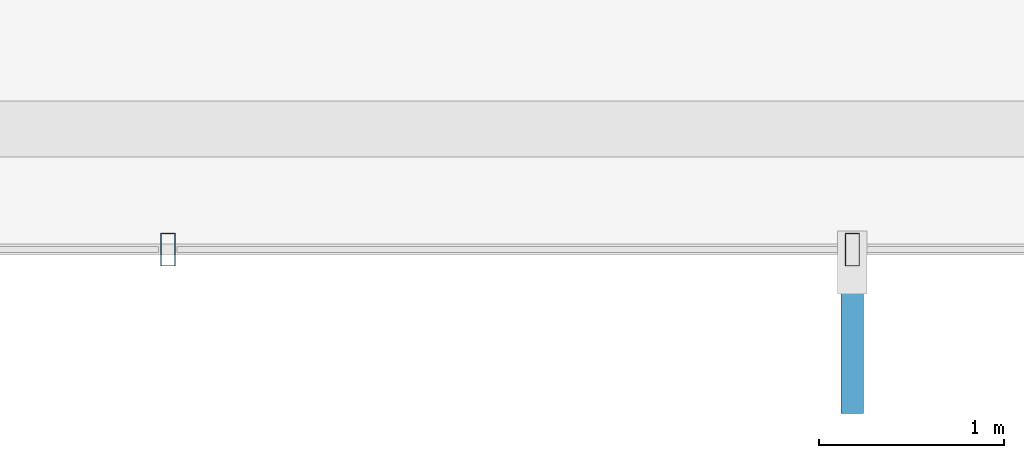
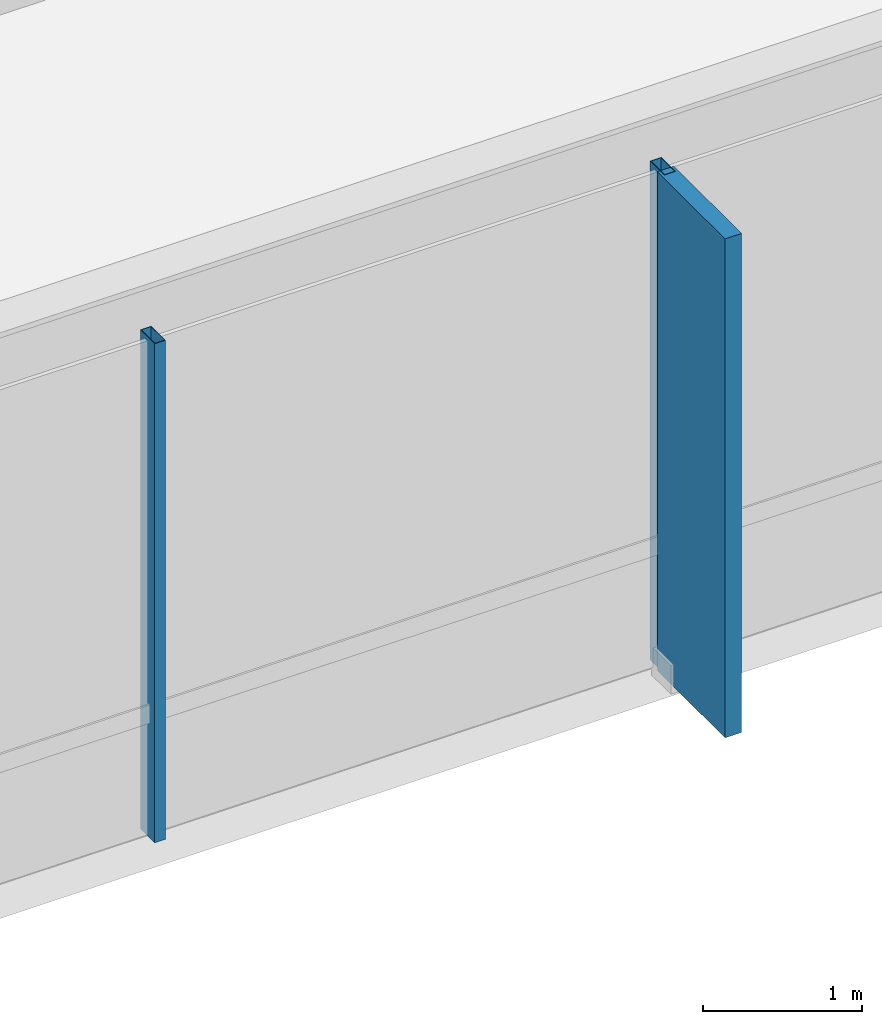
# One storey, part 8 of 25: 3 members, 1 element without a shape of its own.
"""IFC4 building model written with IfcOpenShell, lengths in metres."""

from ifc_helpers import new_model, si_unit, direction, frame, origin, origin_2d, place, context, subcontext, project, spatial, rectangle, hollow_rectangle, extrude, material, layer, layer_set, material_profile, profile_set, type_object, element, aggregate, save


model = new_model("IFC4")

# Units and contexts
model_context = context("Model", 3, precision=1e-05, world=origin(), true_north=direction((0.0, 1.0)))
body_context = subcontext(model_context, "Body", "Model", "MODEL_VIEW")
ifc_project = project(units=[si_unit("LENGTHUNIT", "METRE"), si_unit("AREAUNIT", "SQUARE_METRE"), si_unit("VOLUMEUNIT", "CUBIC_METRE"), si_unit("PLANEANGLEUNIT", "RADIAN"), si_unit("MASSUNIT", "GRAM", prefix="KILO")], contexts=[model_context])

# Site, building, storey
site_placement = place(None, origin())
site = spatial("IfcSite", under=ifc_project, at=site_placement, CompositionType="ELEMENT")
building_placement = place(site_placement, origin())
building = spatial("IfcBuilding", under=site, at=building_placement, Name="Zarrinselat Tower", CompositionType="ELEMENT")
storey_placement = place(building_placement, frame((0.0, 0.0, 43.860107421875)))
storey = spatial("IfcBuildingStorey", under=building, at=storey_placement, Name="L10", CompositionType="ELEMENT", Elevation=43.860107421875)

# Curtain wall, members
ifc_material_1 = material(Name="Extruded Aluminium Alloy EN AW-6063 T6", Category="aluminium")
ifc_layer = layer(ifc_material_1, 0.18505859375)
ifc_layer_set = layer_set([ifc_layer], Name="Extruded Aluminium Alloy EN AW-6063 T6")
curtain_wall_type = type_object("IfcCurtainWallType", Name="CWS-OFF", PredefinedType="NOTDEFINED", material=ifc_layer_set)
curtain_wall_placement = place(storey_placement, origin())
curtain_wall = element("IfcCurtainWall", 1, at=curtain_wall_placement, inside=storey, type_object=curtain_wall_type, Name="L10 Unitised Curtain Wall CW-L10-E04", PredefinedType="NOTDEFINED")
ifc_material_2 = material(Name="Extruded Aluminium Alloy EN AW-6063 T6", Category="aluminium")
ifc_material_profile_1 = material_profile(ifc_material_2, hollow_rectangle(XDim=0.080078125, YDim=0.179931640625, WallThickness=0.0048828125, at=origin_2d()), Name="RHS 180x80x5")
ifc_profile_set_1 = profile_set([ifc_material_profile_1], Name="Extruded Aluminium Alloy EN AW-6063 T6")
member_type_1 = type_object("IfcMemberType", Name="MEM-CW-MUL", PredefinedType="MULLION", material=ifc_profile_set_1)
member_1_placement = place(storey_placement, frame((42.091552734375, 19.02294921875, 0.0), z_axis=(0.0, 0.0, 1.0), x_axis=(1.0, 0.0, 0.0)))
member_1 = element("IfcMember", 2, at=member_1_placement, type_object=member_type_1, Name="CW-L10-E04 Mullion 4", PredefinedType="MULLION", context=body_context, shape_type="SweptSolid", body=[
    extrude(hollow_rectangle(XDim=0.080078125, YDim=0.179931640625, WallThickness=0.0048828125, at=origin_2d()), origin(), (0.0, 0.0, 1.0), 3.81982421875),
])
member_2_placement = place(storey_placement, frame((45.783203125, 19.02294921875, 0.0), z_axis=(0.0, 0.0, 1.0), x_axis=(1.0, 0.0, 0.0)))
member_2 = element("IfcMember", 3, at=member_2_placement, type_object=member_type_1, Name="CW-L10-E04 Mullion 5", PredefinedType="MULLION", context=body_context, shape_type="SweptSolid", body=[
    extrude(hollow_rectangle(XDim=0.080078125, YDim=0.179931640625, WallThickness=0.0048828125, at=origin_2d()), origin(), (0.0, 0.0, 1.0), 3.81982421875),
])
ifc_material_3 = material(Name="Honed Cream Travertine Stone", Category="masonry")
ifc_material_profile_2 = material_profile(ifc_material_3, rectangle(XDim=0.1201171875, YDim=0.85009765625, at=origin_2d()), Name="FIN 850x120")
ifc_profile_set_2 = profile_set([ifc_material_profile_2], Name="Honed Cream Travertine Stone")
member_type_2 = type_object("IfcMemberType", Name="MEM-STONE-FIN", PredefinedType="USERDEFINED", material=ifc_profile_set_2)
member_3_placement = place(storey_placement, frame((45.783203125, 18.56298828125, 0.0), z_axis=(0.0, 0.0, 1.0), x_axis=(-1.0, 0.0, 0.0)))
member_3 = element("IfcMember", 4, at=member_3_placement, type_object=member_type_2, Name="L10 Stone Shading Fin CW-L10-E04-05", ObjectType="FIN", PredefinedType="USERDEFINED", context=body_context, shape_type="SweptSolid", body=[
    extrude(rectangle(XDim=0.1201171875, YDim=0.85009765625, at=origin_2d()), origin(), (0.0, 0.0, 1.0), 3.81982421875),
])
aggregate(curtain_wall, [member_1, member_2, member_3])

save(model, "model.ifc")
